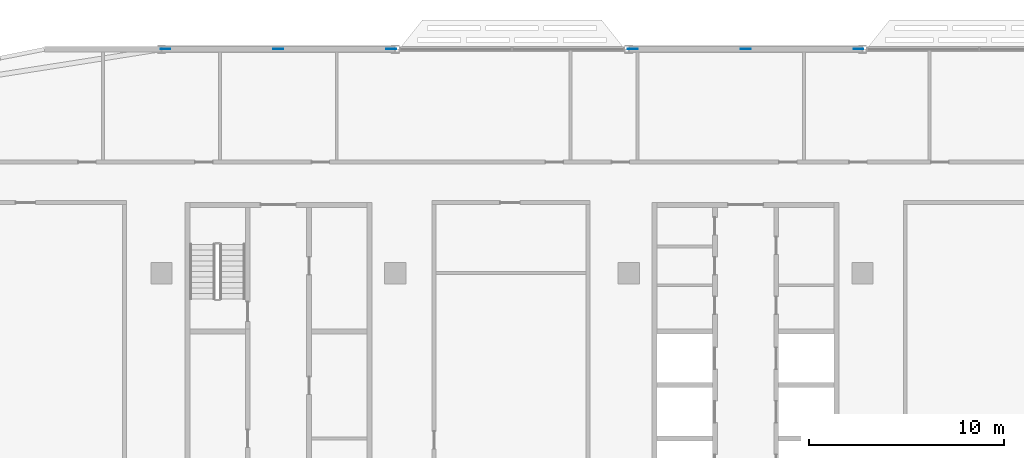
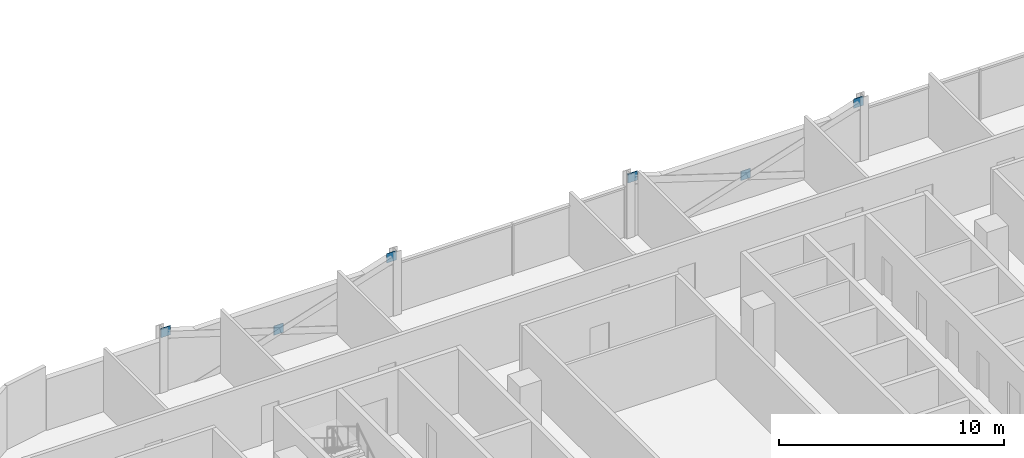
# One storey, part 22 of 30: 6 discrete accessories.
"""IFC4 building model written with IfcOpenShell, lengths in metres."""

from ifc_helpers import new_model, si_unit, direction, frame, origin, origin_2d, place, context, subcontext, project, spatial, rectangle, extrude, material, layer, layer_set, type_object, element, save


model = new_model("IFC4")

# Units and contexts
model_context = context("Model", 3, precision=1e-05, world=origin(), true_north=direction((0.0, 1.0)))
body_context = subcontext(model_context, "Body", "Model", "MODEL_VIEW")
ifc_project = project(units=[si_unit("LENGTHUNIT", "METRE"), si_unit("AREAUNIT", "SQUARE_METRE"), si_unit("VOLUMEUNIT", "CUBIC_METRE"), si_unit("PLANEANGLEUNIT", "RADIAN"), si_unit("MASSUNIT", "GRAM", prefix="KILO")], contexts=[model_context])

# Site, building, storey
site_placement = place(None, origin())
site = spatial("IfcSite", under=ifc_project, at=site_placement, CompositionType="ELEMENT")
building_placement = place(site_placement, origin())
building = spatial("IfcBuilding", under=site, at=building_placement, Name="Mahtab Terrace Research Tower", CompositionType="ELEMENT")
storey_placement = place(building_placement, frame((0.0, 0.0, 201.5)))
storey = spatial("IfcBuildingStorey", under=building, at=storey_placement, Name="L48", CompositionType="ELEMENT", Elevation=201.5)

# Discrete accessories
ifc_material = material(Name="Steel ASTM A992 Gr 50", Category="steel")
ifc_layer = layer(ifc_material, 0.030029296875)
ifc_layer_set = layer_set([ifc_layer], Name="Gusset plate 500x500x30")
discrete_accessory_type = type_object("IfcDiscreteAccessoryType", Name="Gusset plate 500x500x30", PredefinedType="USERDEFINED", material=ifc_layer_set)
for number, where, z_axis, x_axis, name in (
    (1, (-29.79931640625, 23.0, 2.870849609375), (0.0, 0.0, 1.0), (1.0, 0.0, 0.0), "Gusset plate"),
    (2, (-24.0, 23.0, 0.970947265625), (0.0, 0.0, 1.0), (1.0, 0.0, 0.0), "Gusset plate"),
    (3, (-18.20068359375, 23.0, 2.870849609375), (0.0, 0.0, 1.0), (1.0, 0.0, 0.0), "Gusset plate"),
    (4, (-5.79931640625, 23.0, 2.870849609375), (0.0, 0.0, 1.0), (1.0, 0.0, 0.0), "Gusset plate"),
    (5, (0.0, 23.0, 0.970947265625), (0.0, 0.0, 1.0), (1.0, 0.0, 0.0), "Gusset plate"),
    (6, (5.79931640625, 23.0, 2.870849609375), (0.0, 0.0, 1.0), (1.0, 0.0, 0.0), "Gusset plate"),
):
    element("IfcDiscreteAccessory", number, at=place(storey_placement, frame(where, z_axis=z_axis, x_axis=x_axis)), inside=storey, type_object=discrete_accessory_type, Name=name, ObjectType="GUSSET PLATE", PredefinedType="USERDEFINED", context=body_context, shape_type="SweptSolid", body=[
        extrude(rectangle(XDim=0.5, YDim=0.030029296875, at=origin_2d()), origin(), (0.0, 0.0, 1.0), 0.5),
    ])

save(model, "model.ifc")
